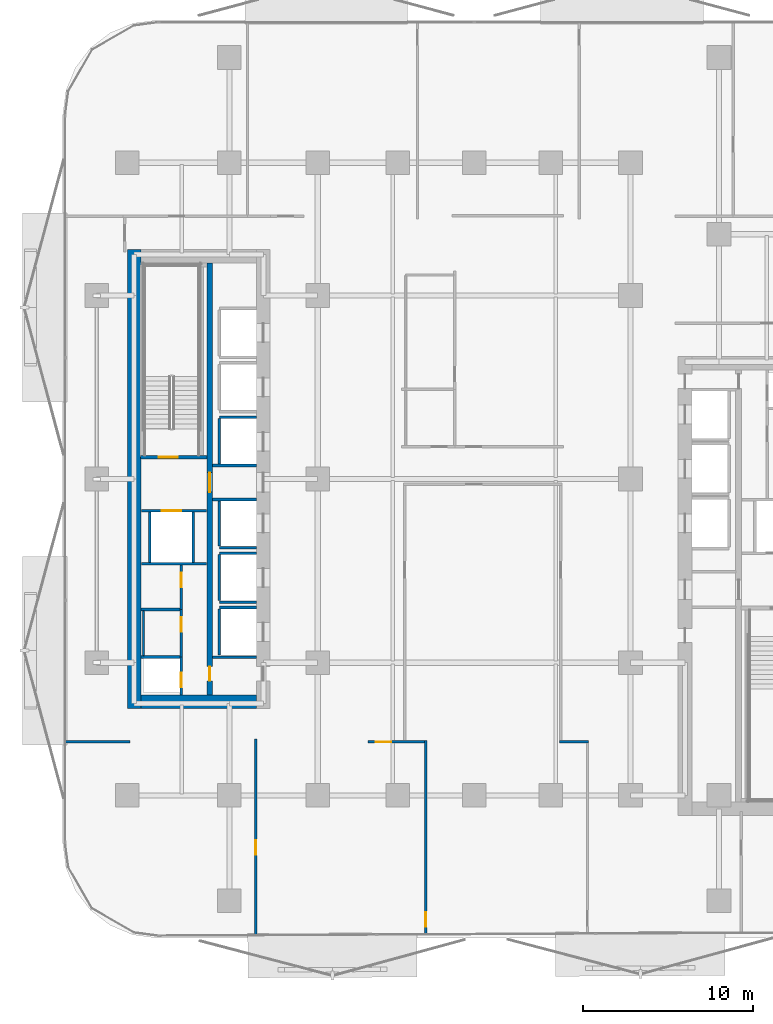
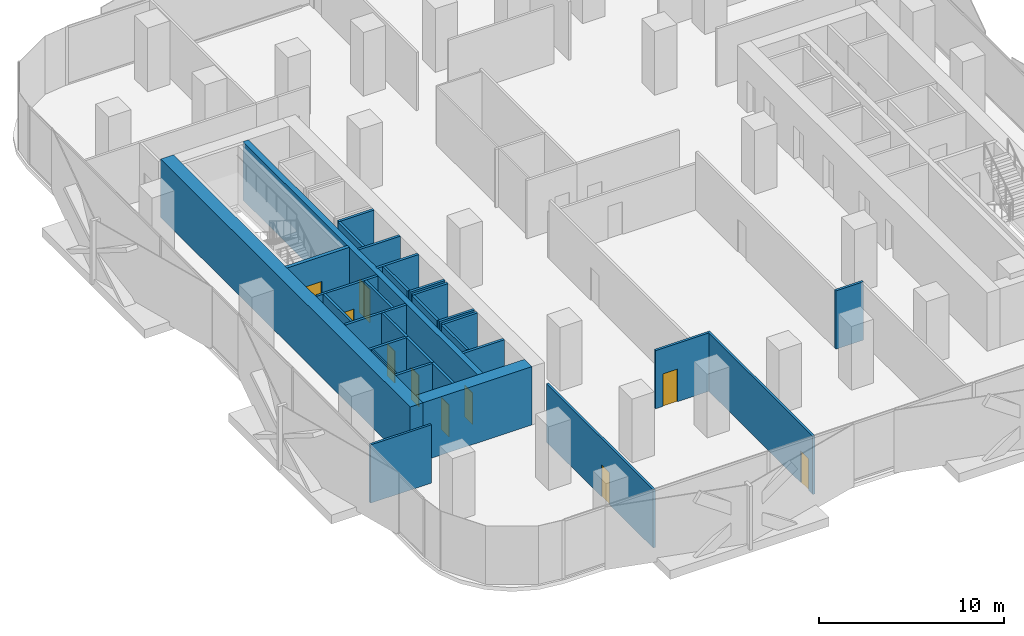
# One storey, part 3 of 16: 31 walls, 10 doors, 10 openings.
"""IFC4 building model written with IfcOpenShell, lengths in metres."""

from ifc_helpers import new_model, si_unit, direction, frame, frame_2d, origin, place, context, subcontext, project, spatial, rectangle, extrude, material, layer, layer_set, type_object, element, fill, save


model = new_model("IFC4")

# Units and contexts
model_context = context("Model", 3, precision=1e-05, world=origin(), true_north=direction((0.0, 1.0)))
body_context = subcontext(model_context, "Body", "Model", "MODEL_VIEW")
ifc_project = project(units=[si_unit("LENGTHUNIT", "METRE"), si_unit("AREAUNIT", "SQUARE_METRE"), si_unit("VOLUMEUNIT", "CUBIC_METRE"), si_unit("PLANEANGLEUNIT", "RADIAN"), si_unit("MASSUNIT", "GRAM", prefix="KILO")], contexts=[model_context])

# Site, building, storey
site_placement = place(None, origin())
site = spatial("IfcSite", under=ifc_project, at=site_placement, CompositionType="ELEMENT")
building_placement = place(site_placement, origin())
building = spatial("IfcBuilding", under=site, at=building_placement, Name="Khairoan Windgate Tower", CompositionType="ELEMENT")
storey_placement = place(building_placement, frame((0.0, 0.0, 80.60009765625)))
storey = spatial("IfcBuildingStorey", under=building, at=storey_placement, Name="L19", CompositionType="ELEMENT", Elevation=80.60009765625)

# Walls
ifc_material_1 = material(Name="Moisture-Resistant Gypsum Partition", Category="gypsum")
ifc_layer_1 = layer(ifc_material_1, 0.10009765625, Name="Moisture-Resistant Gypsum Partition")
ifc_layer_set_1 = layer_set([ifc_layer_1], Name="Moisture-Resistant Gypsum Partition")
wall_type_1 = type_object("IfcWallType", Name="Bathroom Wet-Area Partition Wall", PredefinedType="PARTITIONING", material=ifc_layer_set_1)
wall_1_placement = place(storey_placement, frame((-19.449951171875, -10.389892578125, 0.0), z_axis=(0.0, 0.0, 1.0), x_axis=(0.0, 1.0, 0.0)))
element("IfcWall", 1, at=wall_1_placement, inside=storey, type_object=wall_type_1, Name="L19 Wet Room Side Wall 039", PredefinedType="PARTITIONING", context=body_context, shape_type="SweptSolid", body=[
    extrude(rectangle(XDim=2.639892578125, YDim=0.10009765625, at=frame_2d((1.31982421875, 0.0))), origin(), (0.0, 0.0, 1.0), 3.849853515625),
])
ifc_material_2 = material(Name="Concrete C40/50", Category="concrete")
ifc_layer_2 = layer(ifc_material_2, 0.159912109375, Name="Concrete C40/50")
ifc_layer_set_2 = layer_set([ifc_layer_2], Name="Concrete C40/50")
wall_type_2 = type_object("IfcWallType", Name="Core and Hoistway Enclosure Wall", PredefinedType="STANDARD", material=ifc_layer_set_2)
wall_2_placement = place(storey_placement, frame((-14.989990234375, 3.639892578125, 0.0), z_axis=(0.0, 0.0, 1.0), x_axis=(1.0, 0.0, 0.0)))
element("IfcWall", 2, at=wall_2_placement, inside=storey, type_object=wall_type_2, Name="L19 Lift PL3 Hoistway Divider N", PredefinedType="STANDARD", context=body_context, shape_type="SweptSolid", body=[
    extrude(rectangle(XDim=2.18994140625, YDim=0.159912109375, at=frame_2d((1.094970703125, 0.0))), origin(), (0.0, 0.0, 1.0), 3.849853515625),
])
wall_3_placement = place(storey_placement, frame((-14.989990234375, 0.85009765625, 0.0), z_axis=(0.0, 0.0, 1.0), x_axis=(0.0, 1.0, 0.0)))
element("IfcWall", 3, at=wall_3_placement, inside=storey, type_object=wall_type_2, Name="L19 Lift PL3 Hoistway Back Wall", PredefinedType="STANDARD", context=body_context, shape_type="SweptSolid", body=[
    extrude(rectangle(XDim=2.699951171875, YDim=0.159912109375, at=frame_2d((1.35009765625, 0.0))), origin(), (0.0, 0.0, 1.0), 3.849853515625),
])
wall_4_placement = place(storey_placement, frame((-14.989990234375, -4.0400390625, 0.0), z_axis=(0.0, 0.0, 1.0), x_axis=(1.0, 0.0, 0.0)))
element("IfcWall", 4, at=wall_4_placement, inside=storey, type_object=wall_type_2, Name="L19 Lift PL4 Hoistway Divider S", PredefinedType="STANDARD", context=body_context, shape_type="SweptSolid", body=[
    extrude(rectangle(XDim=2.18994140625, YDim=0.159912109375, at=frame_2d((1.094970703125, 0.0))), origin(), (0.0, 0.0, 1.0), 3.849853515625),
])
wall_5_placement = place(storey_placement, frame((-14.989990234375, -3.949951171875, 0.0), z_axis=(0.0, 0.0, 1.0), x_axis=(0.0, 1.0, 0.0)))
element("IfcWall", 5, at=wall_5_placement, inside=storey, type_object=wall_type_2, Name="L19 Lift PL4 Hoistway Back Wall", PredefinedType="STANDARD", context=body_context, shape_type="SweptSolid", body=[
    extrude(rectangle(XDim=2.699951171875, YDim=0.159912109375, at=frame_2d((1.35009765625, 0.0))), origin(), (0.0, 0.0, 1.0), 3.849853515625),
])
for number, where, z_axis, x_axis, name in (
    (6, (-14.989990234375, -7.239990234375, 0.0), (0.0, 0.0, 1.0), (1.0, 0.0, 0.0), "L19 Lift PL5 Hoistway Divider S"),
    (7, (-14.989990234375, -4.360107421875, 0.0), (0.0, 0.0, 1.0), (1.0, 0.0, 0.0), "L19 Lift PL5 Hoistway Divider N"),
):
    element("IfcWall", number, at=place(storey_placement, frame(where, z_axis=z_axis, x_axis=x_axis)), inside=storey, type_object=wall_type_2, Name=name, PredefinedType="STANDARD", context=body_context, shape_type="SweptSolid", body=[
        extrude(rectangle(XDim=2.18994140625, YDim=0.159912109375, at=frame_2d((1.094970703125, 0.0))), origin(), (0.0, 0.0, 1.0), 3.849853515625),
    ])
wall_6_placement = place(storey_placement, frame((-14.989990234375, -7.14990234375, 0.0), z_axis=(0.0, 0.0, 1.0), x_axis=(0.0, 1.0, 0.0)))
element("IfcWall", 8, at=wall_6_placement, inside=storey, type_object=wall_type_2, Name="L19 Lift PL5 Hoistway Back Wall", PredefinedType="STANDARD", context=body_context, shape_type="SweptSolid", body=[
    extrude(rectangle(XDim=2.699951171875, YDim=0.159912109375, at=frame_2d((1.35009765625, 0.0))), origin(), (0.0, 0.0, 1.0), 3.849853515625),
])
wall_7_placement = place(storey_placement, frame((-14.989990234375, -7.56005859375, 0.0), z_axis=(0.0, 0.0, 1.0), x_axis=(1.0, 0.0, 0.0)))
element("IfcWall", 9, at=wall_7_placement, inside=storey, type_object=wall_type_2, Name="L19 Lift PL6 Hoistway Divider N", PredefinedType="STANDARD", context=body_context, shape_type="SweptSolid", body=[
    extrude(rectangle(XDim=2.18994140625, YDim=0.159912109375, at=frame_2d((1.094970703125, 0.0))), origin(), (0.0, 0.0, 1.0), 3.849853515625),
])
wall_8_placement = place(storey_placement, frame((-14.989990234375, -10.35009765625, 0.0), z_axis=(0.0, 0.0, 1.0), x_axis=(0.0, 1.0, 0.0)))
element("IfcWall", 10, at=wall_8_placement, inside=storey, type_object=wall_type_2, Name="L19 Lift PL6 Hoistway Back Wall", PredefinedType="STANDARD", context=body_context, shape_type="SweptSolid", body=[
    extrude(rectangle(XDim=2.7001953125, YDim=0.159912109375, at=frame_2d((1.35009765625, 0.0))), origin(), (0.0, 0.0, 1.0), 3.849853515625),
])

# Wall, opening, door
wall_9_placement = place(storey_placement, frame((-19.550048828125, -1.860107421875, 0.0), z_axis=(0.0, 0.0, 1.0), x_axis=(1.0, 0.0, 0.0)))
wall_9 = element("IfcWall", 11, at=wall_9_placement, inside=storey, type_object=wall_type_2, Name="L19 Core Shaft Wall SW-FL2-L19", PredefinedType="STANDARD", context=body_context, shape_type="SweptSolid", body=[
    extrude(rectangle(XDim=3.800048828125, YDim=0.159912109375, at=frame_2d((1.89990234375, 0.0))), origin(), (0.0, 0.0, 1.0), 3.849853515625),
])
opening_1_placement = place(wall_9_placement, frame((1.179931640625, 0.0, 0.0)))
opening_1 = element("IfcOpeningElement", 12, at=opening_1_placement, cuts=wall_9, Name="Opening LD-FL", PredefinedType="OPENING", context=body_context, shape_type="SweptSolid", body=[
    extrude(rectangle(XDim=1.14990234375, YDim=2.199951171875, at=frame_2d((0.574951171875, 1.10009765625))), frame((0.0, 0.08984375, 0.0), z_axis=(0.0, -1.0, 0.0), x_axis=(1.0, 0.0, 0.0)), (0.0, 0.0, 1.0), 0.179931640625),
])
ifc_material_3 = material(Name="Steel S355", Category="steel")
door_type_1 = type_object("IfcDoorType", Name="Firefighting Lift Sliding Landing Door LD-FL 1150x2200", OperationType="DOUBLE_DOOR_SLIDING", PredefinedType="DOOR", material=ifc_material_3)
door_1_placement = place(opening_1_placement, origin())
door_1 = element("IfcDoor", 13, at=door_1_placement, inside=storey, type_object=door_type_1, Name="L19 Firefighting Lift FL2 Landing Door", OperationType="DOUBLE_DOOR_SLIDING", OverallHeight=2.199951171875, OverallWidth=1.14990234375, PredefinedType="DOOR", context=body_context, shape_type="SweptSolid", body=[
    extrude(rectangle(XDim=1.14990234375, YDim=2.199951171875, at=frame_2d((0.574951171875, 1.10009765625))), frame((0.0, 0.02490234375, 0.0), z_axis=(0.0, -1.0, 0.0), x_axis=(1.0, 0.0, 0.0)), (0.0, 0.0, 1.0), 0.050048828125),
])
fill(opening_1, door_1)

# Walls
wall_10_placement = place(storey_placement, frame((-19.550048828125, -4.97998046875, 0.0), z_axis=(0.0, 0.0, 1.0), x_axis=(1.0, 0.0, 0.0)))
element("IfcWall", 14, at=wall_10_placement, inside=storey, type_object=wall_type_2, Name="L19 Core Shaft Wall SW-FL2B-L19", PredefinedType="STANDARD", context=body_context, shape_type="SweptSolid", body=[
    extrude(rectangle(XDim=3.800048828125, YDim=0.159912109375, at=frame_2d((1.89990234375, 0.0))), origin(), (0.0, 0.0, 1.0), 3.849853515625),
])
for number, where, z_axis, x_axis, name in (
    (15, (-19.080078125, -4.89990234375, 0.0), (0.0, 0.0, 1.0), (0.0, 1.0, 0.0), "L19 Core Shaft Wall SW-FL2W-L19"),
    (16, (-16.52001953125, -4.89990234375, 0.0), (0.0, 0.0, 1.0), (0.0, 1.0, 0.0), "L19 Core Shaft Wall SW-FL2E-L19"),
):
    element("IfcWall", number, at=place(storey_placement, frame(where, z_axis=z_axis, x_axis=x_axis)), inside=storey, type_object=wall_type_2, Name=name, PredefinedType="STANDARD", context=body_context, shape_type="SweptSolid", body=[
        extrude(rectangle(XDim=2.9599609375, YDim=0.159912109375, at=frame_2d((1.47998046875, 0.0))), origin(), (0.0, 0.0, 1.0), 3.849853515625),
    ])
for number, where, z_axis, x_axis, name in (
    (17, (-15.39990234375, 0.800048828125, 0.0), (0.0, 0.0, 1.0), (1.0, 0.0, 0.0), "L19 Core Shaft Wall SW-WV1-L19"),
    (18, (-15.39990234375, -1.199951171875, 0.0), (0.0, 0.0, 1.0), (1.0, 0.0, 0.0), "L19 Core Shaft Wall SW-WV2-L19"),
    (19, (-15.39990234375, -10.47998046875, 0.0), (0.0, 0.0, 1.0), (1.0, 0.0, 0.0), "L19 Core Shaft Wall SW-WSV-L19"),
):
    element("IfcWall", number, at=place(storey_placement, frame(where, z_axis=z_axis, x_axis=x_axis)), inside=storey, type_object=wall_type_2, Name=name, PredefinedType="STANDARD", context=body_context, shape_type="SweptSolid", body=[
        extrude(rectangle(XDim=2.599853515625, YDim=0.159912109375, at=frame_2d((1.2998046875, 0.0))), origin(), (0.0, 0.0, 1.0), 3.849853515625),
    ])
ifc_material_4 = material(Name="Acoustic Fire-Rated Gypsum Partition", Category="gypsum")
ifc_layer_3 = layer(ifc_material_4, 0.139892578125, Name="Acoustic Fire-Rated Gypsum Partition")
ifc_layer_set_3 = layer_set([ifc_layer_3], Name="Acoustic Fire-Rated Gypsum Partition")
wall_type_3 = type_object("IfcWallType", Name="Inter-Tenancy Compartment Wall", PredefinedType="PARTITIONING", material=ifc_layer_set_3)
wall_11_placement = place(storey_placement, frame((-24.054931640625, -15.4599609375, 0.0), z_axis=(0.0, 0.0, 1.0), x_axis=(1.0, 0.0, 0.0)))
element("IfcWall", 20, at=wall_11_placement, inside=storey, type_object=wall_type_3, Name="L19 Interior Partition 023", PredefinedType="PARTITIONING", context=body_context, shape_type="SweptSolid", body=[
    extrude(rectangle(XDim=3.81494140625, YDim=0.139892578125, at=frame_2d((1.907470703125, 0.0))), origin(), (0.0, 0.0, 1.0), 3.849853515625),
])

# Wall, opening, door
wall_12_placement = place(storey_placement, frame((-12.85205078125, -26.8271484375, 0.0), z_axis=(0.0, 0.0, 1.0), x_axis=(0.0, 1.0, 0.0)))
wall_12 = element("IfcWall", 21, at=wall_12_placement, inside=storey, type_object=wall_type_3, Name="L19 Interior Partition 032", PredefinedType="PARTITIONING", context=body_context, shape_type="SweptSolid", body=[
    extrude(rectangle(XDim=11.547119140625, YDim=0.139892578125, at=frame_2d((5.7734375, 0.0))), origin(), (0.0, 0.0, 1.0), 3.849853515625),
])
opening_2_placement = place(wall_12_placement, frame((4.737548828125, 0.0, 0.0)))
opening_2 = element("IfcOpeningElement", 22, at=opening_2_placement, cuts=wall_12, Name="Opening FD-SRV", PredefinedType="OPENING", context=body_context, shape_type="SweptSolid", body=[
    extrude(rectangle(XDim=0.85009765625, YDim=2.10009765625, at=frame_2d((0.425048828125, 1.050048828125))), frame((0.0, 0.079833984375, 0.0), z_axis=(0.0, -1.0, 0.0), x_axis=(1.0, 0.0, 0.0)), (0.0, 0.0, 1.0), 0.159912109375),
])
ifc_material_5 = material(Name="Steel S355", Category="steel")
door_type_2 = type_object("IfcDoorType", Name="Core Service and Riser Fire Door FD-SRV 850x2100", OperationType="NOTDEFINED", PredefinedType="DOOR", material=ifc_material_5)
door_2_placement = place(opening_2_placement, origin())
door_2 = element("IfcDoor", 23, at=door_2_placement, inside=storey, type_object=door_type_2, Name="L19 L19-43-L19-44 Door", OperationType="SINGLE_SWING_RIGHT", OverallHeight=2.10009765625, OverallWidth=0.85009765625, PredefinedType="DOOR", context=body_context, shape_type="SweptSolid", body=[
    extrude(rectangle(XDim=0.85009765625, YDim=2.10009765625, at=frame_2d((0.425048828125, 1.050048828125))), frame((0.0, 0.02490234375, 0.0), z_axis=(0.0, -1.0, 0.0), x_axis=(1.0, 0.0, 0.0)), (0.0, 0.0, 1.0), 0.050048828125),
])
fill(opening_2, door_2)

wall_13_placement = place(storey_placement, frame((-2.85595703125, -26.77880859375, 0.0), z_axis=(0.0, 0.0, 1.0), x_axis=(0.0, 1.0, 0.0)))
wall_13 = element("IfcWall", 24, at=wall_13_placement, inside=storey, type_object=wall_type_3, Name="L19 Interior Partition 033", PredefinedType="PARTITIONING", context=body_context, shape_type="SweptSolid", body=[
    extrude(rectangle(XDim=11.393798828125, YDim=0.139892578125, at=frame_2d((5.69677734375, 0.0))), origin(), (0.0, 0.0, 1.0), 3.849853515625),
])
opening_3_placement = place(wall_13_placement, frame((0.4599609375, 0.0, 0.0)))
opening_3 = element("IfcOpeningElement", 25, at=opening_3_placement, cuts=wall_13, Name="Opening FD-SRV", PredefinedType="OPENING", context=body_context, shape_type="SweptSolid", body=[
    extrude(rectangle(XDim=0.85009765625, YDim=2.10009765625, at=frame_2d((0.425048828125, 1.050048828125))), frame((0.0, 0.079833984375, 0.0), z_axis=(0.0, -1.0, 0.0), x_axis=(1.0, 0.0, 0.0)), (0.0, 0.0, 1.0), 0.159912109375),
])
door_3_placement = place(opening_3_placement, origin())
door_3 = element("IfcDoor", 26, at=door_3_placement, inside=storey, type_object=door_type_2, Name="L19 L19-44-L19-45 Door", OperationType="SINGLE_SWING_LEFT", OverallHeight=2.10009765625, OverallWidth=0.85009765625, PredefinedType="DOOR", context=body_context, shape_type="SweptSolid", body=[
    extrude(rectangle(XDim=0.85009765625, YDim=2.10009765625, at=frame_2d((0.425048828125, 1.050048828125))), frame((0.0, 0.02490234375, 0.0), z_axis=(0.0, -1.0, 0.0), x_axis=(1.0, 0.0, 0.0)), (0.0, 0.0, 1.0), 0.050048828125),
])
fill(opening_3, door_3)

ifc_material_6 = material(Name="Concrete C40/50", Category="concrete")
ifc_layer_4 = layer(ifc_material_6, 0.159912109375, Name="Concrete C40/50")
ifc_layer_set_4 = layer_set([ifc_layer_4], Name="Concrete C40/50")
wall_type_4 = type_object("IfcWallType", Name="Plant and Refuge Compartment Wall", PredefinedType="PARTITIONING", material=ifc_layer_set_4)
wall_14_placement = place(storey_placement, frame((-17.22998046875, -12.699951171875, 0.0), z_axis=(0.0, 0.0, 1.0), x_axis=(0.0, 1.0, 0.0)))
wall_14 = element("IfcWall", 27, at=wall_14_placement, inside=storey, type_object=wall_type_4, Name="L19 Interior Partition 001", PredefinedType="PARTITIONING", context=body_context, shape_type="SweptSolid", body=[
    extrude(rectangle(XDim=2.22998046875, YDim=0.159912109375, at=frame_2d((1.114990234375, 0.0))), origin(), (0.0, 0.0, 1.0), 3.849853515625),
])
opening_4_placement = place(wall_14_placement, frame((0.4599609375, 0.0, 0.0)))
opening_4 = element("IfcOpeningElement", 28, at=opening_4_placement, cuts=wall_14, Name="Opening FD-SRV", PredefinedType="OPENING", context=body_context, shape_type="SweptSolid", body=[
    extrude(rectangle(XDim=0.85009765625, YDim=2.10009765625, at=frame_2d((0.425048828125, 1.050048828125))), frame((0.0, 0.08984375, 0.0), z_axis=(0.0, -1.0, 0.0), x_axis=(1.0, 0.0, 0.0)), (0.0, 0.0, 1.0), 0.179931640625),
])
door_4_placement = place(opening_4_placement, origin())
door_4 = element("IfcDoor", 29, at=door_4_placement, inside=storey, type_object=door_type_2, Name="L19 L19-04-L19-05 Door", OperationType="SINGLE_SWING_RIGHT", OverallHeight=2.10009765625, OverallWidth=0.85009765625, PredefinedType="DOOR", context=body_context, shape_type="SweptSolid", body=[
    extrude(rectangle(XDim=0.85009765625, YDim=2.10009765625, at=frame_2d((0.425048828125, 1.050048828125))), frame((0.0, 0.02490234375, 0.0), z_axis=(0.0, -1.0, 0.0), x_axis=(1.0, 0.0, 0.0)), (0.0, 0.0, 1.0), 0.050048828125),
])
fill(opening_4, door_4)

wall_15_placement = place(storey_placement, frame((-17.22998046875, -10.469970703125, 0.0), z_axis=(0.0, 0.0, 1.0), x_axis=(0.0, 1.0, 0.0)))
wall_15 = element("IfcWall", 30, at=wall_15_placement, inside=storey, type_object=wall_type_4, Name="L19 Interior Partition 002", PredefinedType="PARTITIONING", context=body_context, shape_type="SweptSolid", body=[
    extrude(rectangle(XDim=2.800048828125, YDim=0.159912109375, at=frame_2d((1.39990234375, 0.0))), origin(), (0.0, 0.0, 1.0), 3.849853515625),
])
opening_5_placement = place(wall_15_placement, frame((1.489990234375, 0.0, 0.0)))
opening_5 = element("IfcOpeningElement", 31, at=opening_5_placement, cuts=wall_15, Name="Opening FD-SRV", PredefinedType="OPENING", context=body_context, shape_type="SweptSolid", body=[
    extrude(rectangle(XDim=0.85009765625, YDim=2.10009765625, at=frame_2d((0.425048828125, 1.050048828125))), frame((0.0, 0.08984375, 0.0), z_axis=(0.0, -1.0, 0.0), x_axis=(1.0, 0.0, 0.0)), (0.0, 0.0, 1.0), 0.179931640625),
])
door_5_placement = place(opening_5_placement, origin())
door_5 = element("IfcDoor", 32, at=door_5_placement, inside=storey, type_object=door_type_2, Name="L19 L19-04-L19-06 Door", OperationType="SINGLE_SWING_LEFT", OverallHeight=2.10009765625, OverallWidth=0.85009765625, PredefinedType="DOOR", context=body_context, shape_type="SweptSolid", body=[
    extrude(rectangle(XDim=0.85009765625, YDim=2.10009765625, at=frame_2d((0.425048828125, 1.050048828125))), frame((0.0, 0.02490234375, 0.0), z_axis=(0.0, -1.0, 0.0), x_axis=(1.0, 0.0, 0.0)), (0.0, 0.0, 1.0), 0.050048828125),
])
fill(opening_5, door_5)

wall_16_placement = place(storey_placement, frame((-17.22998046875, -7.669921875, 0.0), z_axis=(0.0, 0.0, 1.0), x_axis=(0.0, 1.0, 0.0)))
wall_16 = element("IfcWall", 33, at=wall_16_placement, inside=storey, type_object=wall_type_4, Name="L19 Interior Partition 003", PredefinedType="PARTITIONING", context=body_context, shape_type="SweptSolid", body=[
    extrude(rectangle(XDim=2.60986328125, YDim=0.159912109375, at=frame_2d((1.304931640625, 0.0))), origin(), (0.0, 0.0, 1.0), 3.849853515625),
])
opening_6_placement = place(wall_16_placement, frame((1.300048828125, 0.0, 0.0)))
opening_6 = element("IfcOpeningElement", 34, at=opening_6_placement, cuts=wall_16, Name="Opening FD-SRV", PredefinedType="OPENING", context=body_context, shape_type="SweptSolid", body=[
    extrude(rectangle(XDim=0.85009765625, YDim=2.10009765625, at=frame_2d((0.425048828125, 1.050048828125))), frame((0.0, 0.08984375, 0.0), z_axis=(0.0, -1.0, 0.0), x_axis=(1.0, 0.0, 0.0)), (0.0, 0.0, 1.0), 0.179931640625),
])
door_6_placement = place(opening_6_placement, origin())
door_6 = element("IfcDoor", 35, at=door_6_placement, inside=storey, type_object=door_type_2, Name="L19 L19-04-L19-07 Door", OperationType="SINGLE_SWING_RIGHT", OverallHeight=2.10009765625, OverallWidth=0.85009765625, PredefinedType="DOOR", context=body_context, shape_type="SweptSolid", body=[
    extrude(rectangle(XDim=0.85009765625, YDim=2.10009765625, at=frame_2d((0.425048828125, 1.050048828125))), frame((0.0, 0.02490234375, 0.0), z_axis=(0.0, -1.0, 0.0), x_axis=(1.0, 0.0, 0.0)), (0.0, 0.0, 1.0), 0.050048828125),
])
fill(opening_6, door_6)

# Walls
for number, where, z_axis, x_axis, name in (
    (36, (-19.60009765625, -10.469970703125, 0.0), (0.0, 0.0, 1.0), (1.0, 0.0, 0.0), "L19 Interior Partition 004"),
    (37, (-19.60009765625, -7.669921875, 0.0), (0.0, 0.0, 1.0), (1.0, 0.0, 0.0), "L19 Interior Partition 005"),
):
    element("IfcWall", number, at=place(storey_placement, frame(where, z_axis=z_axis, x_axis=x_axis)), inside=storey, type_object=wall_type_4, Name=name, PredefinedType="PARTITIONING", context=body_context, shape_type="SweptSolid", body=[
        extrude(rectangle(XDim=2.2900390625, YDim=0.159912109375, at=frame_2d((1.14501953125, 0.0))), origin(), (0.0, 0.0, 1.0), 3.849853515625),
    ])

# Wall, opening, door
ifc_material_7 = material(Name="Acoustic Fire-Rated Gypsum Partition", Category="gypsum")
ifc_layer_5 = layer(ifc_material_7, 0.14990234375, Name="Acoustic Fire-Rated Gypsum Partition")
ifc_layer_set_5 = layer_set([ifc_layer_5], Name="Acoustic Fire-Rated Gypsum Partition")
wall_type_5 = type_object("IfcWallType", Name="Rated Corridor Partition Wall", PredefinedType="PARTITIONING", material=ifc_layer_set_5)
wall_17_placement = place(storey_placement, frame((-6.239990234375, -15.4599609375, 0.0), z_axis=(0.0, 0.0, 1.0), x_axis=(1.0, 0.0, 0.0)))
wall_17 = element("IfcWall", 38, at=wall_17_placement, inside=storey, type_object=wall_type_5, Name="L19 Interior Partition 013", PredefinedType="PARTITIONING", context=body_context, shape_type="SweptSolid", body=[
    extrude(rectangle(XDim=3.31396484375, YDim=0.14990234375, at=frame_2d((1.656982421875, 0.0))), origin(), (0.0, 0.0, 1.0), 3.849853515625),
])
opening_7_placement = place(wall_17_placement, frame((0.4599609375, 0.0, 0.0)))
opening_7 = element("IfcOpeningElement", 39, at=opening_7_placement, cuts=wall_17, Name="Opening FD-ENT", PredefinedType="OPENING", context=body_context, shape_type="SweptSolid", body=[
    extrude(rectangle(XDim=0.89990234375, YDim=2.14990234375, at=frame_2d((0.449951171875, 1.074951171875))), frame((0.0, 0.0849609375, 0.0), z_axis=(0.0, -1.0, 0.0), x_axis=(1.0, 0.0, 0.0)), (0.0, 0.0, 1.0), 0.169921875),
])
ifc_material_8 = material(Name="Timber Fire-Rated Core", Category="wood")
door_type_3 = type_object("IfcDoorType", Name="Unit and Office Fire Entrance Door FD-ENT 900x2150", OperationType="NOTDEFINED", PredefinedType="DOOR", material=ifc_material_8)
door_7_placement = place(opening_7_placement, origin())
door_7 = element("IfcDoor", 40, at=door_7_placement, inside=storey, type_object=door_type_3, Name="L19 L19-31-L19-44 Door", OperationType="SINGLE_SWING_LEFT", OverallHeight=2.14990234375, OverallWidth=0.89990234375, PredefinedType="DOOR", context=body_context, shape_type="SweptSolid", body=[
    extrude(rectangle(XDim=0.89990234375, YDim=2.14990234375, at=frame_2d((0.449951171875, 1.074951171875))), frame((0.0, 0.02490234375, 0.0), z_axis=(0.0, -1.0, 0.0), x_axis=(1.0, 0.0, 0.0)), (0.0, 0.0, 1.0), 0.050048828125),
])
fill(opening_7, door_7)

# Walls
wall_18_placement = place(storey_placement, frame((5.010009765625, -15.4599609375, 0.0), z_axis=(0.0, 0.0, 1.0), x_axis=(1.0, 0.0, 0.0)))
element("IfcWall", 41, at=wall_18_placement, inside=storey, type_object=wall_type_5, Name="L19 Interior Partition 015", PredefinedType="PARTITIONING", context=body_context, shape_type="SweptSolid", body=[
    extrude(rectangle(XDim=1.723876953125, YDim=0.14990234375, at=frame_2d((0.86181640625, 0.0))), origin(), (0.0, 0.0, 1.0), 3.849853515625),
])
ifc_material_9 = material(Name="Concrete C70/85", Category="concrete")
ifc_layer_6 = layer(ifc_material_9, 0.800048828125, Name="Concrete C70/85")
ifc_layer_set_6 = layer_set([ifc_layer_6], Name="Concrete C70/85")
wall_type_6 = type_object("IfcWallType", Name="Shear Wall CW-W1 800mm", PredefinedType="SHEAR", material=ifc_layer_set_6)
wall_19_placement = place(storey_placement, frame((-20.0, -13.5, 0.0), z_axis=(0.0, 0.0, 1.0), x_axis=(0.0, 1.0, 0.0)))
element("IfcWall", 42, at=wall_19_placement, inside=storey, type_object=wall_type_6, Name="W Core West Shear Wall L19", PredefinedType="SHEAR", context=body_context, shape_type="SweptSolid", body=[
    extrude(rectangle(XDim=27.0, YDim=0.800048828125, at=frame_2d((13.5, 0.0))), origin(), (0.0, 0.0, 1.0), 3.849853515625),
])
wall_20_placement = place(storey_placement, frame((-19.60009765625, -13.10009765625, 0.0), z_axis=(0.0, 0.0, 1.0), x_axis=(1.0, 0.0, 0.0)))
element("IfcWall", 43, at=wall_20_placement, inside=storey, type_object=wall_type_6, Name="W Core South Shear Wall L19", PredefinedType="SHEAR", context=body_context, shape_type="SweptSolid", body=[
    extrude(rectangle(XDim=6.800048828125, YDim=0.800048828125, at=frame_2d((3.39990234375, 0.0))), origin(), (0.0, 0.0, 1.0), 3.849853515625),
])

# Wall, openings, doors
ifc_material_10 = material(Name="Concrete C60/75", Category="concrete")
ifc_layer_7 = layer(ifc_material_10, 0.35009765625, Name="Concrete C60/75")
ifc_layer_set_7 = layer_set([ifc_layer_7], Name="Concrete C60/75")
wall_type_7 = type_object("IfcWallType", Name="Shear Wall SW-1 350mm", PredefinedType="SHEAR", material=ifc_layer_set_7)
wall_21_placement = place(storey_placement, frame((-15.550048828125, -12.699951171875, 0.0), z_axis=(0.0, 0.0, 1.0), x_axis=(0.0, 1.0, 0.0)))
wall_21 = element("IfcWall", 44, at=wall_21_placement, inside=storey, type_object=wall_type_7, Name="W Core Spine Shear Wall L19", PredefinedType="SHEAR", context=body_context, shape_type="SweptSolid", body=[
    extrude(rectangle(XDim=25.39990234375, YDim=0.35009765625, at=frame_2d((12.699951171875, 0.0))), origin(), (0.0, 0.0, 1.0), 3.849853515625),
])
opening_8_placement = place(wall_21_placement, frame((11.925048828125, 0.0, 0.0)))
opening_8 = element("IfcOpeningElement", 45, at=opening_8_placement, cuts=wall_21, Name="Opening FD-FFL", PredefinedType="OPENING", context=body_context, shape_type="SweptSolid", body=[
    extrude(rectangle(XDim=1.14990234375, YDim=2.199951171875, at=frame_2d((0.574951171875, 1.10009765625))), frame((0.0, 0.18505859375, 0.0), z_axis=(0.0, -1.0, 0.0), x_axis=(1.0, 0.0, 0.0)), (0.0, 0.0, 1.0), 0.3701171875),
])
opening_9_placement = place(wall_21_placement, frame((0.824951171875, 0.0, 0.0)))
opening_9 = element("IfcOpeningElement", 46, at=opening_9_placement, cuts=wall_21, Name="Opening FD-SRV", PredefinedType="OPENING", context=body_context, shape_type="SweptSolid", body=[
    extrude(rectangle(XDim=0.85009765625, YDim=2.10009765625, at=frame_2d((0.425048828125, 1.050048828125))), frame((0.0, 0.18505859375, 0.0), z_axis=(0.0, -1.0, 0.0), x_axis=(1.0, 0.0, 0.0)), (0.0, 0.0, 1.0), 0.3701171875),
])
door_8_placement = place(opening_9_placement, origin())
door_8 = element("IfcDoor", 47, at=door_8_placement, inside=storey, type_object=door_type_2, Name="L19 West Core Service Passage Inner Door", OperationType="SINGLE_SWING_LEFT", OverallHeight=2.10009765625, OverallWidth=0.85009765625, PredefinedType="DOOR", context=body_context, shape_type="SweptSolid", body=[
    extrude(rectangle(XDim=0.85009765625, YDim=2.10009765625, at=frame_2d((0.425048828125, 1.050048828125))), frame((0.0, 0.02490234375, 0.0), z_axis=(0.0, -1.0, 0.0), x_axis=(1.0, 0.0, 0.0)), (0.0, 0.0, 1.0), 0.050048828125),
])
fill(opening_9, door_8)
ifc_material_11 = material(Name="Steel S355", Category="steel")
door_type_4 = type_object("IfcDoorType", Name="Firefighting Lobby Fire Door FD-FFL 1150x2200", OperationType="NOTDEFINED", PredefinedType="DOOR", material=ifc_material_11)
door_9_placement = place(opening_8_placement, origin())
door_9 = element("IfcDoor", 48, at=door_9_placement, inside=storey, type_object=door_type_4, Name="L19 West Firefighting Lobby Fire Door", OperationType="SINGLE_SWING_LEFT", OverallHeight=2.199951171875, OverallWidth=1.14990234375, PredefinedType="DOOR", context=body_context, shape_type="SweptSolid", body=[
    extrude(rectangle(XDim=1.14990234375, YDim=2.199951171875, at=frame_2d((0.574951171875, 1.10009765625))), frame((0.0, 0.02490234375, 0.0), z_axis=(0.0, -1.0, 0.0), x_axis=(1.0, 0.0, 0.0)), (0.0, 0.0, 1.0), 0.050048828125),
])
fill(opening_8, door_9)

# Wall, opening, door
ifc_material_12 = material(Name="Concrete C50/60", Category="concrete")
ifc_layer_8 = layer(ifc_material_12, 0.219970703125, Name="Concrete C50/60")
ifc_layer_set_8 = layer_set([ifc_layer_8], Name="Concrete C50/60")
wall_type_8 = type_object("IfcWallType", Name="Shear Wall SW-ST 220mm", PredefinedType="SHEAR", material=ifc_layer_set_8)
wall_22_placement = place(storey_placement, frame((-19.6201171875, 1.2900390625, 0.0), z_axis=(0.0, 0.0, 1.0), x_axis=(1.0, 0.0, 0.0)))
wall_22 = element("IfcWall", 49, at=wall_22_placement, inside=storey, type_object=wall_type_8, Name="L19 Stair ST2 South Bearing Wall", PredefinedType="SHEAR", context=body_context, shape_type="SweptSolid", body=[
    extrude(rectangle(XDim=3.9150390625, YDim=0.219970703125, at=frame_2d((1.95751953125, 0.0))), origin(), (0.0, 0.0, 1.0), 3.849853515625),
])
opening_10_placement = place(wall_22_placement, frame((1.080078125, 0.0, 0.0)))
opening_10 = element("IfcOpeningElement", 50, at=opening_10_placement, cuts=wall_22, Name="Opening FD-ST", PredefinedType="OPENING", context=body_context, shape_type="SweptSolid", body=[
    extrude(rectangle(XDim=1.10009765625, YDim=2.199951171875, at=frame_2d((0.550048828125, 1.10009765625))), frame((0.0, 0.119873046875, 0.0), z_axis=(0.0, -1.0, 0.0), x_axis=(1.0, 0.0, 0.0)), (0.0, 0.0, 1.0), 0.239990234375),
])
ifc_material_13 = material(Name="Steel S355", Category="steel")
door_type_5 = type_object("IfcDoorType", Name="Smokeproof Stair Fire Door FD-ST 1100x2200", OperationType="NOTDEFINED", PredefinedType="DOOR", material=ifc_material_13)
door_10_placement = place(opening_10_placement, origin())
door_10 = element("IfcDoor", 51, at=door_10_placement, inside=storey, type_object=door_type_5, Name="L19 Stair ST2 Fire Door", OperationType="SINGLE_SWING_RIGHT", OverallHeight=2.199951171875, OverallWidth=1.10009765625, PredefinedType="DOOR", context=body_context, shape_type="SweptSolid", body=[
    extrude(rectangle(XDim=1.10009765625, YDim=2.199951171875, at=frame_2d((0.550048828125, 1.10009765625))), frame((0.0, 0.02490234375, 0.0), z_axis=(0.0, -1.0, 0.0), x_axis=(1.0, 0.0, 0.0)), (0.0, 0.0, 1.0), 0.050048828125),
])
fill(opening_10, door_10)

save(model, "model.ifc")
